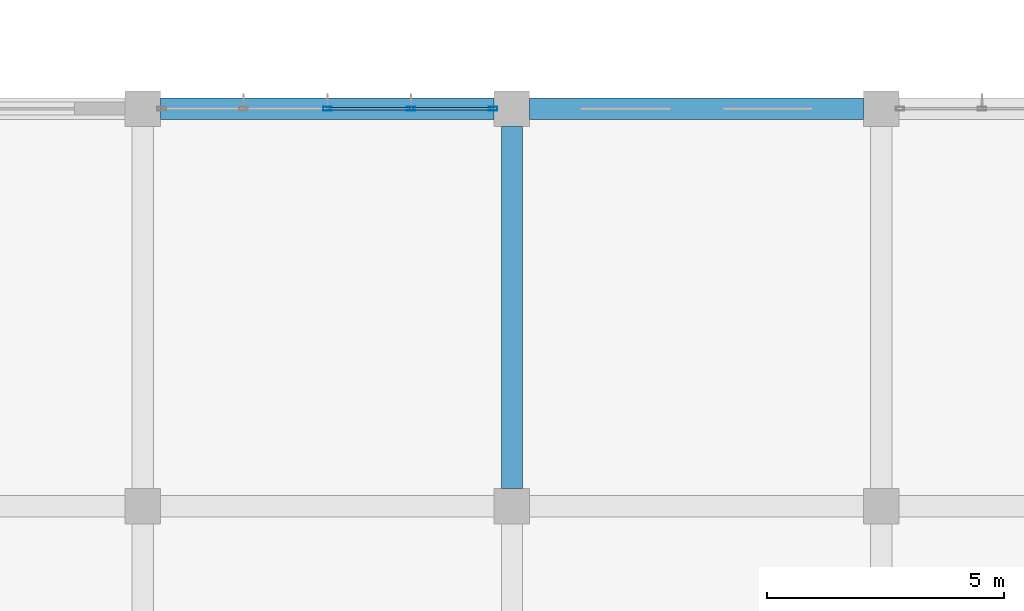
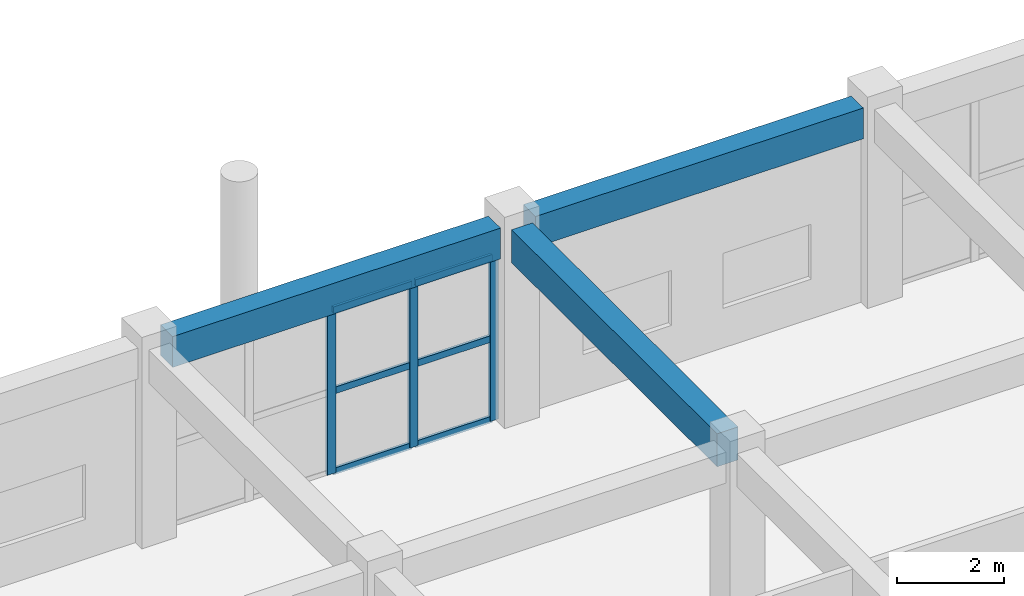
# One storey, part 118 of 167: 9 members, 3 beams, 1 element without a shape of its own.
"""IFC4 building model written with IfcOpenShell, lengths in metres."""

from ifc_helpers import new_model, si_unit, direction, frame, origin, origin_2d, place, context, subcontext, project, spatial, rectangle, hollow_rectangle, extrude, material, layer, layer_set, material_profile, profile_set, type_object, element, aggregate, save


model = new_model("IFC4")

# Units and contexts
model_context = context("Model", 3, precision=1e-05, world=origin(), true_north=direction((0.0, 1.0)))
body_context = subcontext(model_context, "Body", "Model", "MODEL_VIEW")
ifc_project = project(units=[si_unit("LENGTHUNIT", "METRE"), si_unit("AREAUNIT", "SQUARE_METRE"), si_unit("VOLUMEUNIT", "CUBIC_METRE"), si_unit("PLANEANGLEUNIT", "RADIAN"), si_unit("MASSUNIT", "GRAM", prefix="KILO")], contexts=[model_context])

# Site, building, storey
site_placement = place(None, origin())
site = spatial("IfcSite", under=ifc_project, at=site_placement, CompositionType="ELEMENT")
building_placement = place(site_placement, origin())
building = spatial("IfcBuilding", under=site, at=building_placement, Name="Zizhar Promenade General Hospital", CompositionType="ELEMENT")
storey_placement = place(building_placement, frame((0.0, 0.0, 9.60009765625)))
storey = spatial("IfcBuildingStorey", under=building, at=storey_placement, Name="L02", CompositionType="ELEMENT", Elevation=9.60009765625)

# Beams
ifc_material_1 = material(Name="Concrete C35/45", Category="concrete")
ifc_material_profile_1 = material_profile(ifc_material_1, rectangle(XDim=0.449951171875, YDim=0.699951171875, at=origin_2d()))
ifc_profile_set_1 = profile_set([ifc_material_profile_1], Name="Concrete C35/45")
beam_type_1 = type_object("IfcBeamType", Name="BM-RC-450x700", PredefinedType="BEAM", material=ifc_profile_set_1)
beam_1_placement = place(storey_placement, frame((54.97509765625, 134.39990234375, 4.119873046875), z_axis=(1.0, 0.0, 0.0), x_axis=(0.0, 1.0, 0.0)))
element("IfcBeam", 1, at=beam_1_placement, inside=storey, type_object=beam_type_1, Name="Grid Beam X L02 (7-16)", PredefinedType="BEAM", context=body_context, shape_type="SweptSolid", body=[
    extrude(rectangle(XDim=0.449951171875, YDim=0.699951171875, at=origin_2d()), origin(), (0.0, 0.0, 1.0), 7.0498046875),
])
beam_2_placement = place(storey_placement, frame((62.77490234375, 134.39990234375, 4.119873046875), z_axis=(1.0, 0.0, 0.0), x_axis=(0.0, 1.0, 0.0)))
element("IfcBeam", 2, at=beam_2_placement, inside=storey, type_object=beam_type_1, Name="Grid Beam X L02 (8-16)", PredefinedType="BEAM", context=body_context, shape_type="SweptSolid", body=[
    extrude(rectangle(XDim=0.449951171875, YDim=0.699951171875, at=origin_2d()), origin(), (0.0, 0.0, 1.0), 7.050048828125),
])
ifc_material_2 = material(Name="Concrete C35/45", Category="concrete")
ifc_material_profile_2 = material_profile(ifc_material_2, rectangle(XDim=0.449951171875, YDim=0.75, at=origin_2d()))
ifc_profile_set_2 = profile_set([ifc_material_profile_2], Name="Concrete C35/45")
beam_type_2 = type_object("IfcBeamType", Name="BM-RC-450x750", PredefinedType="BEAM", material=ifc_profile_set_2)
beam_3_placement = place(storey_placement, frame((62.39990234375, 126.375, 4.094970703125), z_axis=(0.0, 1.0, 0.0), x_axis=(-1.0, 0.0, 0.0)))
element("IfcBeam", 3, at=beam_3_placement, inside=storey, type_object=beam_type_2, Name="Grid Beam Y L02 (8-15)", PredefinedType="BEAM", context=body_context, shape_type="SweptSolid", body=[
    extrude(rectangle(XDim=0.449951171875, YDim=0.75, at=origin_2d()), origin(), (0.0, 0.0, 1.0), 7.64990234375),
])

# Curtain wall, members
ifc_material_3 = material(Name="Anodised aluminium 6063-T6 and low-E glass", Category="aluminium")
ifc_layer = layer(ifc_material_3, 0.159912109375)
ifc_layer_set = layer_set([ifc_layer], Name="Anodised aluminium 6063-T6 and low-E glass")
curtain_wall_type = type_object("IfcCurtainWallType", Name="CW-DT-MOD2", PredefinedType="NOTDEFINED", material=ifc_layer_set)
curtain_wall_placement = place(storey_placement, origin())
curtain_wall = element("IfcCurtainWall", 4, at=curtain_wall_placement, inside=storey, type_object=curtain_wall_type, Name="Surgical North Glazed Curtain Wall L02-7", PredefinedType="NOTDEFINED")
ifc_material_4 = material(Name="Anodised aluminium 6063-T6", Category="aluminium")
ifc_material_profile_3 = material_profile(ifc_material_4, hollow_rectangle(XDim=0.080078125, YDim=0.179931640625, WallThickness=0.0048828125, at=origin_2d()))
ifc_profile_set_3 = profile_set([ifc_material_profile_3], Name="Anodised aluminium 6063-T6")
member_type_1 = type_object("IfcMemberType", Name="CWM-ALU-180x80", PredefinedType="MULLION", material=ifc_profile_set_3)
member_1_placement = place(storey_placement, frame((58.5, 134.39990234375, 0.0), z_axis=(0.0, 0.0, 1.0), x_axis=(0.0, 1.0, 0.0)))
member_1 = element("IfcMember", 5, at=member_1_placement, type_object=member_type_1, Name="CW-08 mullion 3", PredefinedType="MULLION", context=body_context, shape_type="SweptSolid", body=[
    extrude(hollow_rectangle(XDim=0.080078125, YDim=0.179931640625, WallThickness=0.0048828125, at=origin_2d()), origin(), (0.0, 0.0, 1.0), 3.72998046875),
])
member_2_placement = place(storey_placement, frame((60.27001953125, 134.39990234375, 0.0), z_axis=(0.0, 0.0, 1.0), x_axis=(0.0, 1.0, 0.0)))
member_2 = element("IfcMember", 6, at=member_2_placement, type_object=member_type_1, Name="CW-08 mullion 4", PredefinedType="MULLION", context=body_context, shape_type="SweptSolid", body=[
    extrude(hollow_rectangle(XDim=0.080078125, YDim=0.179931640625, WallThickness=0.0048828125, at=origin_2d()), origin(), (0.0, 0.0, 1.0), 3.72998046875),
])
member_3_placement = place(storey_placement, frame((62.0, 134.39990234375, 0.0), z_axis=(0.0, 0.0, 1.0), x_axis=(0.0, 1.0, 0.0)))
member_3 = element("IfcMember", 7, at=member_3_placement, type_object=member_type_1, Name="CW-08 mullion 5", PredefinedType="MULLION", context=body_context, shape_type="SweptSolid", body=[
    extrude(hollow_rectangle(XDim=0.080078125, YDim=0.179931640625, WallThickness=0.0048828125, at=origin_2d()), origin(), (0.0, 0.0, 1.0), 3.72998046875),
])
ifc_material_5 = material(Name="Anodised aluminium 6063-T6", Category="aluminium")
ifc_material_profile_4 = material_profile(ifc_material_5, hollow_rectangle(XDim=0.06005859375, YDim=0.14990234375, WallThickness=0.00390625, at=origin_2d()))
ifc_profile_set_4 = profile_set([ifc_material_profile_4], Name="Anodised aluminium 6063-T6")
member_type_2 = type_object("IfcMemberType", Name="CWT-ALU-150x60", PredefinedType="USERDEFINED", material=ifc_profile_set_4)
member_4_placement = place(storey_placement, frame((58.5400390625, 134.39990234375, 0.02978515625), z_axis=(1.0, 0.0, 0.0), x_axis=(0.0, 1.0, 0.0)))
member_4 = element("IfcMember", 8, at=member_4_placement, type_object=member_type_2, Name="CW-08 transom 3.1", ObjectType="TRANSOM", PredefinedType="USERDEFINED", context=body_context, shape_type="SweptSolid", body=[
    extrude(hollow_rectangle(XDim=0.06005859375, YDim=0.14990234375, WallThickness=0.00390625, at=origin_2d()), origin(), (0.0, 0.0, 1.0), 1.68994140625),
])
member_5_placement = place(storey_placement, frame((58.5400390625, 134.39990234375, 1.864990234375), z_axis=(1.0, 0.0, 0.0), x_axis=(0.0, 1.0, 0.0)))
member_5 = element("IfcMember", 9, at=member_5_placement, type_object=member_type_2, Name="CW-08 transom 3.2", ObjectType="TRANSOM", PredefinedType="USERDEFINED", context=body_context, shape_type="SweptSolid", body=[
    extrude(hollow_rectangle(XDim=0.06005859375, YDim=0.14990234375, WallThickness=0.00390625, at=origin_2d()), origin(), (0.0, 0.0, 1.0), 1.68994140625),
])
member_6_placement = place(storey_placement, frame((58.5400390625, 134.39990234375, 3.699951171875), z_axis=(1.0, 0.0, 0.0), x_axis=(0.0, 1.0, 0.0)))
member_6 = element("IfcMember", 10, at=member_6_placement, type_object=member_type_2, Name="CW-08 transom 3.3", ObjectType="TRANSOM", PredefinedType="USERDEFINED", context=body_context, shape_type="SweptSolid", body=[
    extrude(hollow_rectangle(XDim=0.06005859375, YDim=0.14990234375, WallThickness=0.00390625, at=origin_2d()), origin(), (0.0, 0.0, 1.0), 1.68994140625),
])
member_7_placement = place(storey_placement, frame((60.31005859375, 134.39990234375, 0.02978515625), z_axis=(1.0, 0.0, 0.0), x_axis=(0.0, 1.0, 0.0)))
member_7 = element("IfcMember", 11, at=member_7_placement, type_object=member_type_2, Name="CW-08 transom 4.1", ObjectType="TRANSOM", PredefinedType="USERDEFINED", context=body_context, shape_type="SweptSolid", body=[
    extrude(hollow_rectangle(XDim=0.06005859375, YDim=0.14990234375, WallThickness=0.00390625, at=origin_2d()), origin(), (0.0, 0.0, 1.0), 1.64990234375),
])
member_8_placement = place(storey_placement, frame((60.31005859375, 134.39990234375, 1.864990234375), z_axis=(1.0, 0.0, 0.0), x_axis=(0.0, 1.0, 0.0)))
member_8 = element("IfcMember", 12, at=member_8_placement, type_object=member_type_2, Name="CW-08 transom 4.2", ObjectType="TRANSOM", PredefinedType="USERDEFINED", context=body_context, shape_type="SweptSolid", body=[
    extrude(hollow_rectangle(XDim=0.06005859375, YDim=0.14990234375, WallThickness=0.00390625, at=origin_2d()), origin(), (0.0, 0.0, 1.0), 1.64990234375),
])
member_9_placement = place(storey_placement, frame((60.31005859375, 134.39990234375, 3.699951171875), z_axis=(1.0, 0.0, 0.0), x_axis=(0.0, 1.0, 0.0)))
member_9 = element("IfcMember", 13, at=member_9_placement, type_object=member_type_2, Name="CW-08 transom 4.3", ObjectType="TRANSOM", PredefinedType="USERDEFINED", context=body_context, shape_type="SweptSolid", body=[
    extrude(hollow_rectangle(XDim=0.06005859375, YDim=0.14990234375, WallThickness=0.00390625, at=origin_2d()), origin(), (0.0, 0.0, 1.0), 1.64990234375),
])
aggregate(curtain_wall, [member_1, member_2, member_3, member_4, member_5, member_6, member_7, member_8, member_9])

save(model, "model.ifc")
